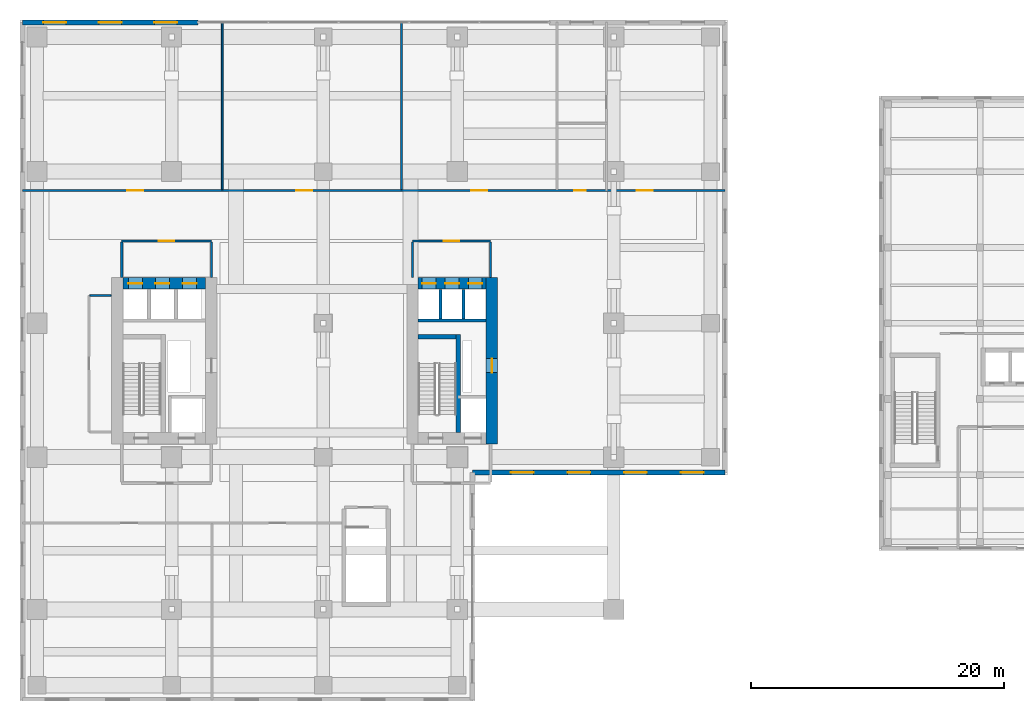
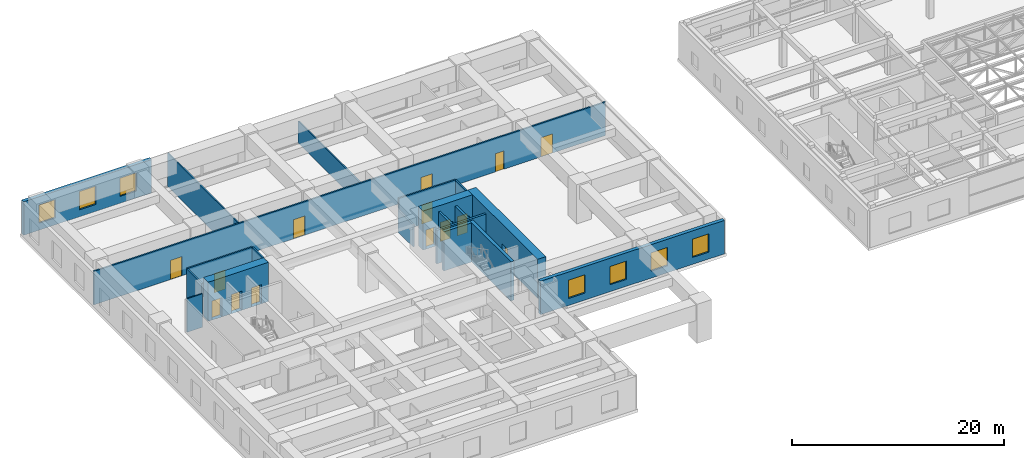
# One storey, part 26 of 33: 20 walls, 14 doors, 7 windows, 21 openings.
"""IFC4 building model written with IfcOpenShell, lengths in metres."""

from ifc_helpers import new_model, si_unit, direction, frame, frame_2d, origin, place, context, subcontext, project, spatial, rectangle, extrude, source, transform, mapped, material, layer, layer_set, type_object, element, fill, save


model = new_model("IFC4")

# Units and contexts
model_context = context("Model", 3, precision=1e-05, world=origin(), true_north=direction((0.0, 1.0)))
body_context = subcontext(model_context, "Body", "Model", "MODEL_VIEW")
ifc_project = project(units=[si_unit("LENGTHUNIT", "METRE"), si_unit("AREAUNIT", "SQUARE_METRE"), si_unit("VOLUMEUNIT", "CUBIC_METRE"), si_unit("PLANEANGLEUNIT", "RADIAN"), si_unit("MASSUNIT", "GRAM", prefix="KILO")], contexts=[model_context])

# Site, building, storey
site_placement = place(None, origin())
site = spatial("IfcSite", under=ifc_project, at=site_placement, CompositionType="ELEMENT")
building_placement = place(site_placement, origin())
building = spatial("IfcBuilding", under=site, at=building_placement, Name="Khoralis Quay Care Tower", CompositionType="ELEMENT")
storey_placement = place(building_placement, frame((0.0, 0.0, 18.0)))
storey = spatial("IfcBuildingStorey", under=building, at=storey_placement, Name="L04", CompositionType="ELEMENT", Elevation=18.0)

# Wall, openings, doors
ifc_material_1 = material(Name="Concrete C80/95", Category="concrete")
ifc_layer_1 = layer(ifc_material_1, 0.89990234375)
ifc_layer_set_1 = layer_set([ifc_layer_1], Name="Concrete C80/95")
wall_type_1 = type_object("IfcWallType", Name="WL-CORE-900", PredefinedType="SHEAR", material=ifc_layer_set_1)
wall_1_placement = place(storey_placement, frame((8.14990234375, 27.14990234375, 0.0), z_axis=(0.0, 0.0, 1.0), x_axis=(1.0, 0.0, 0.0)))
wall_1 = element("IfcWall", 1, at=wall_1_placement, inside=storey, type_object=wall_type_1, Name="L04 WCORE North Shear Wall", PredefinedType="SHEAR", context=body_context, shape_type="SweptSolid", body=[
    extrude(rectangle(XDim=6.550048828125, YDim=0.89990234375, at=frame_2d((3.27490234375, 0.0))), origin(), (0.0, 0.0, 1.0), 4.5),
])
opening_1_placement = place(wall_1_placement, frame((0.429931640625, 0.0, 0.0)))
opening_1 = element("IfcOpeningElement", 2, at=opening_1_placement, cuts=wall_1, Name="Opening LD1", PredefinedType="OPENING", context=body_context, shape_type="SweptSolid", body=[
    extrude(rectangle(XDim=1.10009765625, YDim=2.199951171875, at=frame_2d((0.550048828125, 1.10009765625))), frame((0.0, 0.4599609375, 0.0), z_axis=(0.0, -1.0, 0.0), x_axis=(1.0, 0.0, 0.0)), (0.0, 0.0, 1.0), 0.919921875),
])
opening_2_placement = place(wall_1_placement, frame((2.570068359375, 0.0, 0.0)))
opening_2 = element("IfcOpeningElement", 3, at=opening_2_placement, cuts=wall_1, Name="Opening LD1", PredefinedType="OPENING", context=body_context, shape_type="SweptSolid", body=[
    extrude(rectangle(XDim=1.10009765625, YDim=2.199951171875, at=frame_2d((0.550048828125, 1.10009765625))), frame((0.0, 0.4599609375, 0.0), z_axis=(0.0, -1.0, 0.0), x_axis=(1.0, 0.0, 0.0)), (0.0, 0.0, 1.0), 0.919921875),
])
opening_3_placement = place(wall_1_placement, frame((4.72998046875, 0.0, 0.0)))
opening_3 = element("IfcOpeningElement", 4, at=opening_3_placement, cuts=wall_1, Name="Opening LD1", PredefinedType="OPENING", context=body_context, shape_type="SweptSolid", body=[
    extrude(rectangle(XDim=1.10009765625, YDim=2.199951171875, at=frame_2d((0.550048828125, 1.10009765625))), frame((0.0, 0.4599609375, 0.0), z_axis=(0.0, -1.0, 0.0), x_axis=(1.0, 0.0, 0.0)), (0.0, 0.0, 1.0), 0.919921875),
])
ifc_material_2 = material(Name="Brushed stainless steel", Category="steel")
door_type_1 = type_object("IfcDoorType", Name="DR-LIFT-1100X2200", OperationType="SLIDING_TO_LEFT", PredefinedType="DOOR", material=ifc_material_2)
shared_shape_1 = source(origin(), body_context, "Body", "SweptSolid", [
    extrude(rectangle(XDim=1.10009765625, YDim=2.199951171875, at=frame_2d((0.550048828125, 1.10009765625))), frame((0.0, 0.02490234375, 0.0), z_axis=(0.0, -1.0, 0.0), x_axis=(1.0, 0.0, 0.0)), (0.0, 0.0, 1.0), 0.050048828125),
])
door_1_placement = place(opening_1_placement, origin())
door_1 = element("IfcDoor", 5, at=door_1_placement, inside=storey, type_object=door_type_1, Name="L04 Lift PLL1 Landing Door", OperationType="SLIDING_TO_LEFT", OverallHeight=2.199951171875, OverallWidth=1.10009765625, PredefinedType="DOOR", context=body_context, shape_type="MappedRepresentation", body=[
    mapped(shared_shape_1, transform((0.0, 0.0, 0.0), scale=1.0)),
])
fill(opening_1, door_1)
door_2_placement = place(opening_2_placement, origin())
door_2 = element("IfcDoor", 6, at=door_2_placement, inside=storey, type_object=door_type_1, Name="L04 Lift PLM1 Landing Door", OperationType="SLIDING_TO_LEFT", OverallHeight=2.199951171875, OverallWidth=1.10009765625, PredefinedType="DOOR", context=body_context, shape_type="MappedRepresentation", body=[
    mapped(shared_shape_1, transform((0.0, 0.0, 0.0), scale=1.0)),
])
fill(opening_2, door_2)
door_3_placement = place(opening_3_placement, origin())
door_3 = element("IfcDoor", 7, at=door_3_placement, inside=storey, type_object=door_type_1, Name="L04 Lift PLH1 Landing Door", OperationType="SLIDING_TO_LEFT", OverallHeight=2.199951171875, OverallWidth=1.10009765625, PredefinedType="DOOR", context=body_context, shape_type="MappedRepresentation", body=[
    mapped(shared_shape_1, transform((0.0, 0.0, 0.0), scale=1.0)),
])
fill(opening_3, door_3)

# Wall, opening, door
wall_2_placement = place(storey_placement, frame((37.35009765625, 14.449951171875, 0.0), z_axis=(0.0, 0.0, 1.0), x_axis=(0.0, 1.0, 0.0)))
wall_2 = element("IfcWall", 8, at=wall_2_placement, inside=storey, type_object=wall_type_1, Name="L04 ECORE East Shear Wall", PredefinedType="SHEAR", context=body_context, shape_type="SweptSolid", body=[
    extrude(rectangle(XDim=13.150146484375, YDim=0.89990234375, at=frame_2d((6.5751953125, 0.0))), origin(), (0.0, 0.0, 1.0), 4.5),
])
opening_4_placement = place(wall_2_placement, frame((5.64990234375, 0.0, 0.0)))
opening_4 = element("IfcOpeningElement", 9, at=opening_4_placement, cuts=wall_2, Name="Opening SD1", PredefinedType="OPENING", context=body_context, shape_type="SweptSolid", body=[
    extrude(rectangle(XDim=1.10009765625, YDim=2.199951171875, at=frame_2d((0.550048828125, 1.10009765625))), frame((0.0, 0.4599609375, 0.0), z_axis=(0.0, -1.0, 0.0), x_axis=(1.0, 0.0, 0.0)), (0.0, 0.0, 1.0), 0.919921875),
])
ifc_material_3 = material(Name="Fire-rated painted steel", Category="steel")
door_type_2 = type_object("IfcDoorType", Name="DR-STAIR-1100X2200", OperationType="NOTDEFINED", PredefinedType="DOOR", material=ifc_material_3)
shared_shape_2 = source(origin(), body_context, "Body", "SweptSolid", [
    extrude(rectangle(XDim=1.10009765625, YDim=2.199951171875, at=frame_2d((0.550048828125, 1.10009765625))), frame((0.0, 0.02490234375, 0.0), z_axis=(0.0, -1.0, 0.0), x_axis=(1.0, 0.0, 0.0)), (0.0, 0.0, 1.0), 0.050048828125),
])
door_4_placement = place(opening_4_placement, frame((1.10009765625, 0.0, 0.0), z_axis=(0.0, 0.0, 1.0), x_axis=(-1.0, 0.0, 0.0)))
door_4 = element("IfcDoor", 10, at=door_4_placement, inside=storey, type_object=door_type_2, Name="L04 East MEP Riser Door", OperationType="SINGLE_SWING_LEFT", OverallHeight=2.199951171875, OverallWidth=1.10009765625, PredefinedType="DOOR", context=body_context, shape_type="MappedRepresentation", body=[
    mapped(shared_shape_2, transform((0.0, 0.0, 0.0), scale=1.0)),
])
fill(opening_4, door_4)

# Wall, openings, doors
wall_3_placement = place(storey_placement, frame((31.52001953125, 27.14990234375, 0.0), z_axis=(0.0, 0.0, 1.0), x_axis=(1.0, 0.0, 0.0)))
wall_3 = element("IfcWall", 11, at=wall_3_placement, inside=storey, type_object=wall_type_1, Name="L04 ECORE North Shear Wall", PredefinedType="SHEAR", context=body_context, shape_type="SweptSolid", body=[
    extrude(rectangle(XDim=5.3798828125, YDim=0.89990234375, at=frame_2d((2.68994140625, 0.0))), origin(), (0.0, 0.0, 1.0), 4.5),
])
opening_5_placement = place(wall_3_placement, frame((0.300048828125, 0.0, 0.0)))
opening_5 = element("IfcOpeningElement", 12, at=opening_5_placement, cuts=wall_3, Name="Opening LD1", PredefinedType="OPENING", context=body_context, shape_type="SweptSolid", body=[
    extrude(rectangle(XDim=1.10009765625, YDim=2.199951171875, at=frame_2d((0.550048828125, 1.10009765625))), frame((0.0, 0.4599609375, 0.0), z_axis=(0.0, -1.0, 0.0), x_axis=(1.0, 0.0, 0.0)), (0.0, 0.0, 1.0), 0.919921875),
])
opening_6_placement = place(wall_3_placement, frame((2.1298828125, 0.0, 0.0)))
opening_6 = element("IfcOpeningElement", 13, at=opening_6_placement, cuts=wall_3, Name="Opening LD1", PredefinedType="OPENING", context=body_context, shape_type="SweptSolid", body=[
    extrude(rectangle(XDim=1.10009765625, YDim=2.199951171875, at=frame_2d((0.550048828125, 1.10009765625))), frame((0.0, 0.4599609375, 0.0), z_axis=(0.0, -1.0, 0.0), x_axis=(1.0, 0.0, 0.0)), (0.0, 0.0, 1.0), 0.919921875),
])
opening_7_placement = place(wall_3_placement, frame((3.9599609375, 0.0, 0.0)))
opening_7 = element("IfcOpeningElement", 14, at=opening_7_placement, cuts=wall_3, Name="Opening LD1", PredefinedType="OPENING", context=body_context, shape_type="SweptSolid", body=[
    extrude(rectangle(XDim=1.10009765625, YDim=2.199951171875, at=frame_2d((0.550048828125, 1.10009765625))), frame((0.0, 0.4599609375, 0.0), z_axis=(0.0, -1.0, 0.0), x_axis=(1.0, 0.0, 0.0)), (0.0, 0.0, 1.0), 0.919921875),
])
door_5_placement = place(opening_5_placement, origin())
door_5 = element("IfcDoor", 15, at=door_5_placement, inside=storey, type_object=door_type_1, Name="L04 Lift PLL2 Landing Door", OperationType="SLIDING_TO_LEFT", OverallHeight=2.199951171875, OverallWidth=1.10009765625, PredefinedType="DOOR", context=body_context, shape_type="MappedRepresentation", body=[
    mapped(shared_shape_1, transform((0.0, 0.0, 0.0), scale=1.0)),
])
fill(opening_5, door_5)
door_6_placement = place(opening_6_placement, origin())
door_6 = element("IfcDoor", 16, at=door_6_placement, inside=storey, type_object=door_type_1, Name="L04 Lift PLM2 Landing Door", OperationType="SLIDING_TO_LEFT", OverallHeight=2.199951171875, OverallWidth=1.10009765625, PredefinedType="DOOR", context=body_context, shape_type="MappedRepresentation", body=[
    mapped(shared_shape_1, transform((0.0, 0.0, 0.0), scale=1.0)),
])
fill(opening_6, door_6)
door_7_placement = place(opening_7_placement, origin())
door_7 = element("IfcDoor", 17, at=door_7_placement, inside=storey, type_object=door_type_1, Name="L04 Lift PLH2 Landing Door", OperationType="SLIDING_TO_LEFT", OverallHeight=2.199951171875, OverallWidth=1.10009765625, PredefinedType="DOOR", context=body_context, shape_type="MappedRepresentation", body=[
    mapped(shared_shape_1, transform((0.0, 0.0, 0.0), scale=1.0)),
])
fill(opening_7, door_7)

# Wall, opening, door
ifc_material_4 = material(Name="Gypsum plasterboard on acoustic metal stud")
ifc_layer_2 = layer(ifc_material_4, 0.1650390625)
ifc_layer_set_2 = layer_set([ifc_layer_2], Name="Gypsum plasterboard on acoustic metal stud")
wall_type_2 = type_object("IfcWallType", Name="WL-CORR-165", PredefinedType="PARTITIONING", material=ifc_layer_set_2)
wall_4_placement = place(storey_placement, frame((8.050048828125, 30.5, 0.0), z_axis=(0.0, 0.0, 1.0), x_axis=(1.0, 0.0, 0.0)))
wall_4 = element("IfcWall", 18, at=wall_4_placement, inside=storey, type_object=wall_type_2, Name="L04 West Lift Lobby North Wall", PredefinedType="PARTITIONING", context=body_context, shape_type="SweptSolid", body=[
    extrude(rectangle(XDim=7.099853515625, YDim=0.1650390625, at=frame_2d((3.5498046875, 0.0))), origin(), (0.0, 0.0, 1.0), 3.85009765625),
])
opening_8_placement = place(wall_4_placement, frame((2.949951171875, 0.0, 0.0)))
opening_8 = element("IfcOpeningElement", 19, at=opening_8_placement, cuts=wall_4, Name="Opening FD1", PredefinedType="OPENING", context=body_context, shape_type="SweptSolid", body=[
    extrude(rectangle(XDim=1.199951171875, YDim=2.199951171875, at=frame_2d((0.60009765625, 1.10009765625))), frame((0.0, 0.092529296875, 0.0), z_axis=(0.0, -1.0, 0.0), x_axis=(1.0, 0.0, 0.0)), (0.0, 0.0, 1.0), 0.18505859375),
])
door_type_3 = type_object("IfcDoorType", Name="DR-FFL-1200X2200", OperationType="NOTDEFINED", PredefinedType="DOOR", material=ifc_material_3)
shared_shape_3 = source(origin(), body_context, "Body", "SweptSolid", [
    extrude(rectangle(XDim=1.199951171875, YDim=2.199951171875, at=frame_2d((0.60009765625, 1.10009765625))), frame((0.0, 0.02490234375, 0.0), z_axis=(0.0, -1.0, 0.0), x_axis=(1.0, 0.0, 0.0)), (0.0, 0.0, 1.0), 0.050048828125),
])
door_8_placement = place(opening_8_placement, origin())
door_8 = element("IfcDoor", 20, at=door_8_placement, inside=storey, type_object=door_type_3, Name="L04 West Lift Lobby Double Door", OperationType="DOUBLE_DOOR_SINGLE_SWING", OverallHeight=2.199951171875, OverallWidth=1.199951171875, PredefinedType="DOOR", context=body_context, shape_type="MappedRepresentation", body=[
    mapped(shared_shape_3, transform((0.0, 0.0, 0.0), scale=1.0)),
])
fill(opening_8, door_8)

# Walls
for number, where, z_axis, x_axis, name in (
    (21, (8.050048828125, 27.6201171875, 0.0), (0.0, 0.0, 1.0), (0.0, 1.0, 0.0), "L04 West Lift Lobby West Wall"),
    (22, (15.14990234375, 27.6201171875, 0.0), (0.0, 0.0, 1.0), (0.0, 1.0, 0.0), "L04 West Lift Lobby East Wall"),
):
    element("IfcWall", number, at=place(storey_placement, frame(where, z_axis=z_axis, x_axis=x_axis)), inside=storey, type_object=wall_type_2, Name=name, PredefinedType="PARTITIONING", context=body_context, shape_type="SweptSolid", body=[
        extrude(rectangle(XDim=2.802490234375, YDim=0.1650390625, at=frame_2d((1.4013671875, 0.0))), origin(), (0.0, 0.0, 1.0), 3.85009765625),
    ])

# Wall, opening, door
wall_5_placement = place(storey_placement, frame((31.050048828125, 30.5, 0.0), z_axis=(0.0, 0.0, 1.0), x_axis=(1.0, 0.0, 0.0)))
wall_5 = element("IfcWall", 23, at=wall_5_placement, inside=storey, type_object=wall_type_2, Name="L04 East Lift Lobby North Wall", PredefinedType="PARTITIONING", context=body_context, shape_type="SweptSolid", body=[
    extrude(rectangle(XDim=6.199951171875, YDim=0.1650390625, at=frame_2d((3.10009765625, 0.0))), origin(), (0.0, 0.0, 1.0), 3.85009765625),
])
opening_9_placement = place(wall_5_placement, frame((2.5, 0.0, 0.0)))
opening_9 = element("IfcOpeningElement", 24, at=opening_9_placement, cuts=wall_5, Name="Opening FD1", PredefinedType="OPENING", context=body_context, shape_type="SweptSolid", body=[
    extrude(rectangle(XDim=1.199951171875, YDim=2.199951171875, at=frame_2d((0.60009765625, 1.10009765625))), frame((0.0, 0.092529296875, 0.0), z_axis=(0.0, -1.0, 0.0), x_axis=(1.0, 0.0, 0.0)), (0.0, 0.0, 1.0), 0.18505859375),
])
door_9_placement = place(opening_9_placement, origin())
door_9 = element("IfcDoor", 25, at=door_9_placement, inside=storey, type_object=door_type_3, Name="L04 East Lift Lobby Double Door", OperationType="DOUBLE_DOOR_SINGLE_SWING", OverallHeight=2.199951171875, OverallWidth=1.199951171875, PredefinedType="DOOR", context=body_context, shape_type="MappedRepresentation", body=[
    mapped(shared_shape_3, transform((0.0, 0.0, 0.0), scale=1.0)),
])
fill(opening_9, door_9)

# Walls
wall_6_placement = place(storey_placement, frame((31.050048828125, 27.6201171875, 0.0), z_axis=(0.0, 0.0, 1.0), x_axis=(0.0, 1.0, 0.0)))
element("IfcWall", 26, at=wall_6_placement, inside=storey, type_object=wall_type_2, Name="L04 East Lift Lobby West Wall", PredefinedType="PARTITIONING", context=body_context, shape_type="SweptSolid", body=[
    extrude(rectangle(XDim=2.802490234375, YDim=0.1650390625, at=frame_2d((1.4013671875, 0.0))), origin(), (0.0, 0.0, 1.0), 2.52001953125),
])
wall_7_placement = place(storey_placement, frame((37.25, 27.6201171875, 0.0), z_axis=(0.0, 0.0, 1.0), x_axis=(0.0, 1.0, 0.0)))
element("IfcWall", 27, at=wall_7_placement, inside=storey, type_object=wall_type_2, Name="L04 East Lift Lobby East Wall", PredefinedType="PARTITIONING", context=body_context, shape_type="SweptSolid", body=[
    extrude(rectangle(XDim=2.802490234375, YDim=0.1650390625, at=frame_2d((1.4013671875, 0.0))), origin(), (0.0, 0.0, 1.0), 3.85009765625),
])

# Wall, openings, doors
wall_8_placement = place(storey_placement, frame((0.18505859375, 34.5, 0.0), z_axis=(0.0, 0.0, 1.0), x_axis=(1.0, 0.0, 0.0)))
wall_8 = element("IfcWall", 28, at=wall_8_placement, inside=storey, type_object=wall_type_2, Name="L04 Podium North Concourse Wall", PredefinedType="PARTITIONING", context=body_context, shape_type="SweptSolid", body=[
    extrude(rectangle(XDim=55.6298828125, YDim=0.1650390625, at=frame_2d((27.81494140625, 0.0))), origin(), (0.0, 0.0, 1.0), 3.85009765625),
])
opening_10_placement = place(wall_8_placement, frame((8.31494140625, 0.0, 0.0)))
opening_10 = element("IfcOpeningElement", 29, at=opening_10_placement, cuts=wall_8, Name="Opening CD1", PredefinedType="OPENING", context=body_context, shape_type="SweptSolid", body=[
    extrude(rectangle(XDim=1.25, YDim=2.199951171875, at=frame_2d((0.625, 1.10009765625))), frame((0.0, 0.092529296875, 0.0), z_axis=(0.0, -1.0, 0.0), x_axis=(1.0, 0.0, 0.0)), (0.0, 0.0, 1.0), 0.18505859375),
])
opening_11_placement = place(wall_8_placement, frame((21.68994140625, 0.0, 0.0)))
opening_11 = element("IfcOpeningElement", 30, at=opening_11_placement, cuts=wall_8, Name="Opening CD1", PredefinedType="OPENING", context=body_context, shape_type="SweptSolid", body=[
    extrude(rectangle(XDim=1.25, YDim=2.199951171875, at=frame_2d((0.625, 1.10009765625))), frame((0.0, 0.092529296875, 0.0), z_axis=(0.0, -1.0, 0.0), x_axis=(1.0, 0.0, 0.0)), (0.0, 0.0, 1.0), 0.18505859375),
])
opening_12_placement = place(wall_8_placement, frame((35.5400390625, 0.0, 0.0)))
opening_12 = element("IfcOpeningElement", 31, at=opening_12_placement, cuts=wall_8, Name="Opening CD1", PredefinedType="OPENING", context=body_context, shape_type="SweptSolid", body=[
    extrude(rectangle(XDim=1.25, YDim=2.199951171875, at=frame_2d((0.625, 1.10009765625))), frame((0.0, 0.092529296875, 0.0), z_axis=(0.0, -1.0, 0.0), x_axis=(1.0, 0.0, 0.0)), (0.0, 0.0, 1.0), 0.18505859375),
])
opening_13_placement = place(wall_8_placement, frame((43.68505859375, 0.0, 0.0)))
opening_13 = element("IfcOpeningElement", 32, at=opening_13_placement, cuts=wall_8, Name="Opening WD1", PredefinedType="OPENING", context=body_context, shape_type="SweptSolid", body=[
    extrude(rectangle(XDim=0.89990234375, YDim=2.10009765625, at=frame_2d((0.449951171875, 1.050048828125))), frame((0.0, 0.092529296875, 0.0), z_axis=(0.0, -1.0, 0.0), x_axis=(1.0, 0.0, 0.0)), (0.0, 0.0, 1.0), 0.18505859375),
])
opening_14_placement = place(wall_8_placement, frame((48.635009765625, 0.0, 0.0)))
opening_14 = element("IfcOpeningElement", 33, at=opening_14_placement, cuts=wall_8, Name="Opening CD1", PredefinedType="OPENING", context=body_context, shape_type="SweptSolid", body=[
    extrude(rectangle(XDim=1.25, YDim=2.199951171875, at=frame_2d((0.625, 1.10009765625))), frame((0.0, 0.092529296875, 0.0), z_axis=(0.0, -1.0, 0.0), x_axis=(1.0, 0.0, 0.0)), (0.0, 0.0, 1.0), 0.18505859375),
])
ifc_material_5 = material(Name="Acoustic hardwood timber", Category="wood")
door_type_4 = type_object("IfcDoorType", Name="DR-BATH-900X2100", OperationType="NOTDEFINED", PredefinedType="DOOR", material=ifc_material_5)
shared_shape_4 = source(origin(), body_context, "Body", "SweptSolid", [
    extrude(rectangle(XDim=0.89990234375, YDim=2.10009765625, at=frame_2d((0.449951171875, 1.050048828125))), frame((0.0, 0.02490234375, 0.0), z_axis=(0.0, -1.0, 0.0), x_axis=(1.0, 0.0, 0.0)), (0.0, 0.0, 1.0), 0.050048828125),
])
door_10_placement = place(opening_13_placement, origin())
door_10 = element("IfcDoor", 34, at=door_10_placement, inside=storey, type_object=door_type_4, Name="L04 Public Accessible WC Door", OperationType="SINGLE_SWING_LEFT", OverallHeight=2.10009765625, OverallWidth=0.89990234375, PredefinedType="DOOR", context=body_context, shape_type="MappedRepresentation", body=[
    mapped(shared_shape_4, transform((0.0, 0.0, 0.0), scale=1.0)),
])
fill(opening_13, door_10)
door_type_5 = type_object("IfcDoorType", Name="DR-CARE-1250X2200", OperationType="NOTDEFINED", PredefinedType="DOOR", material=ifc_material_5)
shared_shape_5 = source(origin(), body_context, "Body", "SweptSolid", [
    extrude(rectangle(XDim=1.25, YDim=2.199951171875, at=frame_2d((0.625, 1.10009765625))), frame((0.0, 0.02490234375, 0.0), z_axis=(0.0, -1.0, 0.0), x_axis=(1.0, 0.0, 0.0)), (0.0, 0.0, 1.0), 0.050048828125),
])
door_11_placement = place(opening_10_placement, origin())
door_11 = element("IfcDoor", 35, at=door_11_placement, inside=storey, type_object=door_type_5, Name="L04 Podium Transfer Wellness Clinic Door", OperationType="DOUBLE_DOOR_SINGLE_SWING", OverallHeight=2.199951171875, OverallWidth=1.25, PredefinedType="DOOR", context=body_context, shape_type="MappedRepresentation", body=[
    mapped(shared_shape_5, transform((0.0, 0.0, 0.0), scale=1.0)),
])
fill(opening_10, door_11)
door_12_placement = place(opening_11_placement, origin())
door_12 = element("IfcDoor", 36, at=door_12_placement, inside=storey, type_object=door_type_5, Name="L04 Clinical Administration Office Door", OperationType="DOUBLE_DOOR_SINGLE_SWING", OverallHeight=2.199951171875, OverallWidth=1.25, PredefinedType="DOOR", context=body_context, shape_type="MappedRepresentation", body=[
    mapped(shared_shape_5, transform((0.0, 0.0, 0.0), scale=1.0)),
])
fill(opening_11, door_12)
door_13_placement = place(opening_12_placement, origin())
door_13 = element("IfcDoor", 37, at=door_13_placement, inside=storey, type_object=door_type_5, Name="L04 Senior Salon & Spa Door", OperationType="DOUBLE_DOOR_SINGLE_SWING", OverallHeight=2.199951171875, OverallWidth=1.25, PredefinedType="DOOR", context=body_context, shape_type="MappedRepresentation", body=[
    mapped(shared_shape_5, transform((0.0, 0.0, 0.0), scale=1.0)),
])
fill(opening_12, door_13)
door_14_placement = place(opening_14_placement, origin())
door_14 = element("IfcDoor", 38, at=door_14_placement, inside=storey, type_object=door_type_5, Name="L04 Podium Equipment Store Door", OperationType="SINGLE_SWING_RIGHT", OverallHeight=2.199951171875, OverallWidth=1.25, PredefinedType="DOOR", context=body_context, shape_type="MappedRepresentation", body=[
    mapped(shared_shape_5, transform((0.0, 0.0, 0.0), scale=1.0)),
])
fill(opening_14, door_14)

# Wall, openings, windows
ifc_material_6 = material(Name="Precast concrete C45/55", Category="concrete")
ifc_layer_3 = layer(ifc_material_6, 0.3798828125)
ifc_layer_set_3 = layer_set([ifc_layer_3], Name="Precast concrete C45/55")
wall_type_3 = type_object("IfcWallType", Name="WL-EXT-POD-380", PredefinedType="SOLIDWALL", material=ifc_layer_set_3)
wall_9_placement = place(storey_placement, frame((35.81005859375, 12.18994140625, 0.0), z_axis=(0.0, 0.0, 1.0), x_axis=(1.0, 0.0, 0.0)))
wall_9 = element("IfcWall", 39, at=wall_9_placement, inside=storey, type_object=wall_type_3, Name="L04 External Facade Wall WL-POD-L04-E2", PredefinedType="SOLIDWALL", context=body_context, shape_type="SweptSolid", body=[
    extrude(rectangle(XDim=20.0, YDim=0.3798828125, at=frame_2d((10.0, 0.0))), origin(), (0.0, 0.0, 1.0), 3.85009765625),
])
opening_15_placement = place(wall_9_placement, frame((3.04248046875, 0.0, 0.800048828125)))
opening_15 = element("IfcOpeningElement", 40, at=opening_15_placement, cuts=wall_9, Name="Opening W2", PredefinedType="OPENING", context=body_context, shape_type="SweptSolid", body=[
    extrude(rectangle(XDim=1.800048828125, YDim=2.10009765625, at=frame_2d((0.89990234375, 1.050048828125))), frame((0.0, 0.199951171875, 0.0), z_axis=(0.0, -1.0, 0.0), x_axis=(1.0, 0.0, 0.0)), (0.0, 0.0, 1.0), 0.39990234375),
])
opening_16_placement = place(wall_9_placement, frame((7.527587890625, 0.0, 0.800048828125)))
opening_16 = element("IfcOpeningElement", 41, at=opening_16_placement, cuts=wall_9, Name="Opening W2", PredefinedType="OPENING", context=body_context, shape_type="SweptSolid", body=[
    extrude(rectangle(XDim=1.800048828125, YDim=2.10009765625, at=frame_2d((0.89990234375, 1.050048828125))), frame((0.0, 0.199951171875, 0.0), z_axis=(0.0, -1.0, 0.0), x_axis=(1.0, 0.0, 0.0)), (0.0, 0.0, 1.0), 0.39990234375),
])
opening_17_placement = place(wall_9_placement, frame((12.012451171875, 0.0, 0.800048828125)))
opening_17 = element("IfcOpeningElement", 42, at=opening_17_placement, cuts=wall_9, Name="Opening W2", PredefinedType="OPENING", context=body_context, shape_type="SweptSolid", body=[
    extrude(rectangle(XDim=1.800048828125, YDim=2.10009765625, at=frame_2d((0.89990234375, 1.050048828125))), frame((0.0, 0.199951171875, 0.0), z_axis=(0.0, -1.0, 0.0), x_axis=(1.0, 0.0, 0.0)), (0.0, 0.0, 1.0), 0.39990234375),
])
opening_18_placement = place(wall_9_placement, frame((16.49755859375, 0.0, 0.800048828125)))
opening_18 = element("IfcOpeningElement", 43, at=opening_18_placement, cuts=wall_9, Name="Opening W2", PredefinedType="OPENING", context=body_context, shape_type="SweptSolid", body=[
    extrude(rectangle(XDim=1.800048828125, YDim=2.10009765625, at=frame_2d((0.89990234375, 1.050048828125))), frame((0.0, 0.199951171875, 0.0), z_axis=(0.0, -1.0, 0.0), x_axis=(1.0, 0.0, 0.0)), (0.0, 0.0, 1.0), 0.39990234375),
])
ifc_material_7 = material(Name="Low-E solar-control double glazing", Category="glass")
window_type = type_object("IfcWindowType", Name="WN-POD-1800X2100", PartitioningType="SINGLE_PANEL", PredefinedType="WINDOW", material=ifc_material_7)
shared_shape_6 = source(origin(), body_context, "Body", "SweptSolid", [
    extrude(rectangle(XDim=1.800048828125, YDim=2.10009765625, at=frame_2d((0.89990234375, 1.050048828125))), frame((0.0, 0.030029296875, 0.0), z_axis=(0.0, -1.0, 0.0), x_axis=(1.0, 0.0, 0.0)), (0.0, 0.0, 1.0), 0.06005859375),
])
window_1_placement = place(opening_15_placement, origin())
window_1 = element("IfcWindow", 44, at=window_1_placement, inside=storey, type_object=window_type, Name="WN-POD-L04-E2 Facade Window 01", OverallHeight=2.10009765625, OverallWidth=1.800048828125, PartitioningType="SINGLE_PANEL", PredefinedType="WINDOW", context=body_context, shape_type="MappedRepresentation", body=[
    mapped(shared_shape_6, transform((0.0, 0.0, 0.0), scale=1.0)),
])
fill(opening_15, window_1)
window_2_placement = place(opening_16_placement, origin())
window_2 = element("IfcWindow", 45, at=window_2_placement, inside=storey, type_object=window_type, Name="WN-POD-L04-E2 Facade Window 02", OverallHeight=2.10009765625, OverallWidth=1.800048828125, PartitioningType="SINGLE_PANEL", PredefinedType="WINDOW", context=body_context, shape_type="MappedRepresentation", body=[
    mapped(shared_shape_6, transform((0.0, 0.0, 0.0), scale=1.0)),
])
fill(opening_16, window_2)
window_3_placement = place(opening_17_placement, origin())
window_3 = element("IfcWindow", 46, at=window_3_placement, inside=storey, type_object=window_type, Name="WN-POD-L04-E2 Facade Window 03", OverallHeight=2.10009765625, OverallWidth=1.800048828125, PartitioningType="SINGLE_PANEL", PredefinedType="WINDOW", context=body_context, shape_type="MappedRepresentation", body=[
    mapped(shared_shape_6, transform((0.0, 0.0, 0.0), scale=1.0)),
])
fill(opening_17, window_3)
window_4_placement = place(opening_18_placement, origin())
window_4 = element("IfcWindow", 47, at=window_4_placement, inside=storey, type_object=window_type, Name="WN-POD-L04-E2 Facade Window 04", OverallHeight=2.10009765625, OverallWidth=1.800048828125, PartitioningType="SINGLE_PANEL", PredefinedType="WINDOW", context=body_context, shape_type="MappedRepresentation", body=[
    mapped(shared_shape_6, transform((0.0, 0.0, 0.0), scale=1.0)),
])
fill(opening_18, window_4)

wall_10_placement = place(storey_placement, frame((14.094970703125, 47.81005859375, 0.0), z_axis=(0.0, 0.0, 1.0), x_axis=(-1.0, 0.0, 0.0)))
wall_10 = element("IfcWall", 48, at=wall_10_placement, inside=storey, type_object=wall_type_3, Name="L04 External Facade Wall WL-POD-L04-E4B", PredefinedType="SOLIDWALL", context=body_context, shape_type="SweptSolid", body=[
    extrude(rectangle(XDim=13.905029296875, YDim=0.3798828125, at=frame_2d((6.95263671875, 0.0))), origin(), (0.0, 0.0, 1.0), 3.85009765625),
])
opening_19_placement = place(wall_10_placement, frame((1.657470703125, 0.0, 0.800048828125)))
opening_19 = element("IfcOpeningElement", 49, at=opening_19_placement, cuts=wall_10, Name="Opening W2", PredefinedType="OPENING", context=body_context, shape_type="SweptSolid", body=[
    extrude(rectangle(XDim=1.800048828125, YDim=2.10009765625, at=frame_2d((0.89990234375, 1.050048828125))), frame((0.0, 0.199951171875, 0.0), z_axis=(0.0, -1.0, 0.0), x_axis=(1.0, 0.0, 0.0)), (0.0, 0.0, 1.0), 0.39990234375),
])
opening_20_placement = place(wall_10_placement, frame((6.052490234375, 0.0, 0.800048828125)))
opening_20 = element("IfcOpeningElement", 50, at=opening_20_placement, cuts=wall_10, Name="Opening W2", PredefinedType="OPENING", context=body_context, shape_type="SweptSolid", body=[
    extrude(rectangle(XDim=1.800048828125, YDim=2.10009765625, at=frame_2d((0.89990234375, 1.050048828125))), frame((0.0, 0.199951171875, 0.0), z_axis=(0.0, -1.0, 0.0), x_axis=(1.0, 0.0, 0.0)), (0.0, 0.0, 1.0), 0.39990234375),
])
opening_21_placement = place(wall_10_placement, frame((10.447509765625, 0.0, 0.800048828125)))
opening_21 = element("IfcOpeningElement", 51, at=opening_21_placement, cuts=wall_10, Name="Opening W2", PredefinedType="OPENING", context=body_context, shape_type="SweptSolid", body=[
    extrude(rectangle(XDim=1.800048828125, YDim=2.10009765625, at=frame_2d((0.89990234375, 1.050048828125))), frame((0.0, 0.199951171875, 0.0), z_axis=(0.0, -1.0, 0.0), x_axis=(1.0, 0.0, 0.0)), (0.0, 0.0, 1.0), 0.39990234375),
])
window_5_placement = place(opening_19_placement, origin())
window_5 = element("IfcWindow", 52, at=window_5_placement, inside=storey, type_object=window_type, Name="WN-POD-L04-4B Facade Window 01", OverallHeight=2.10009765625, OverallWidth=1.800048828125, PartitioningType="SINGLE_PANEL", PredefinedType="WINDOW", context=body_context, shape_type="MappedRepresentation", body=[
    mapped(shared_shape_6, transform((0.0, 0.0, 0.0), scale=1.0)),
])
fill(opening_19, window_5)
window_6_placement = place(opening_20_placement, origin())
window_6 = element("IfcWindow", 53, at=window_6_placement, inside=storey, type_object=window_type, Name="WN-POD-L04-4B Facade Window 02", OverallHeight=2.10009765625, OverallWidth=1.800048828125, PartitioningType="SINGLE_PANEL", PredefinedType="WINDOW", context=body_context, shape_type="MappedRepresentation", body=[
    mapped(shared_shape_6, transform((0.0, 0.0, 0.0), scale=1.0)),
])
fill(opening_20, window_6)
window_7_placement = place(opening_21_placement, origin())
window_7 = element("IfcWindow", 54, at=window_7_placement, inside=storey, type_object=window_type, Name="WN-POD-L04-4B Facade Window 03", OverallHeight=2.10009765625, OverallWidth=1.800048828125, PartitioningType="SINGLE_PANEL", PredefinedType="WINDOW", context=body_context, shape_type="MappedRepresentation", body=[
    mapped(shared_shape_6, transform((0.0, 0.0, 0.0), scale=1.0)),
])
fill(opening_21, window_7)

# Walls
ifc_material_8 = material(Name="Concrete C40/50", Category="concrete")
ifc_layer_4 = layer(ifc_material_8, 0.35009765625)
ifc_layer_set_4 = layer_set([ifc_layer_4], Name="Concrete C40/50")
wall_type_4 = type_object("IfcWallType", Name="WL-SC-CORE-350", PredefinedType="SHEAR", material=ifc_layer_set_4)
wall_11_placement = place(storey_placement, frame((34.695068359375, 15.35009765625, 0.0), z_axis=(0.0, 0.0, 1.0), x_axis=(0.0, 1.0, 0.0)))
element("IfcWall", 55, at=wall_11_placement, inside=storey, type_object=wall_type_4, Name="L04 Stair ST-T2 Shear Baffle Wall East", PredefinedType="SHEAR", context=body_context, shape_type="SweptSolid", body=[
    extrude(rectangle(XDim=7.75, YDim=0.35009765625, at=frame_2d((3.875, 0.0))), origin(), (0.0, 0.0, 1.0), 4.5),
])
wall_12_placement = place(storey_placement, frame((31.52001953125, 22.925048828125, 0.0), z_axis=(0.0, 0.0, 1.0), x_axis=(1.0, 0.0, 0.0)))
element("IfcWall", 56, at=wall_12_placement, inside=storey, type_object=wall_type_4, Name="L04 Stair ST-T2 Shear Baffle Wall North", PredefinedType="SHEAR", context=body_context, shape_type="SweptSolid", body=[
    extrude(rectangle(XDim=3.0, YDim=0.35009765625, at=frame_2d((1.5, 0.0))), origin(), (0.0, 0.0, 1.0), 4.5),
])
ifc_layer_5 = layer(ifc_material_4, 0.239990234375)
ifc_layer_set_5 = layer_set([ifc_layer_5], Name="Gypsum plasterboard on acoustic metal stud")
wall_type_5 = type_object("IfcWallType", Name="WL-SHAFT-240", PredefinedType="PARTITIONING", material=ifc_layer_set_5)
wall_13_placement = place(storey_placement, frame((31.52001953125, 24.22998046875, 0.0), z_axis=(0.0, 0.0, 1.0), x_axis=(1.0, 0.0, 0.0)))
element("IfcWall", 57, at=wall_13_placement, inside=storey, type_object=wall_type_5, Name="L04 East Passenger Shaft South Wall", PredefinedType="PARTITIONING", context=body_context, shape_type="SweptSolid", body=[
    extrude(rectangle(XDim=5.35986328125, YDim=0.239990234375, at=frame_2d((2.679931640625, 0.0))), origin(), (0.0, 0.0, 1.0), 3.85009765625),
])
for number, where, z_axis, x_axis, name in (
    (58, (33.2900390625, 24.344970703125, 0.0), (0.0, 0.0, 1.0), (0.0, 1.0, 0.0), "L04 East Shaft Divider 1"),
    (59, (35.110107421875, 24.344970703125, 0.0), (0.0, 0.0, 1.0), (0.0, 1.0, 0.0), "L04 East Shaft Divider 2"),
):
    element("IfcWall", number, at=place(storey_placement, frame(where, z_axis=z_axis, x_axis=x_axis)), inside=storey, type_object=wall_type_5, Name=name, PredefinedType="PARTITIONING", context=body_context, shape_type="SweptSolid", body=[
        extrude(rectangle(XDim=2.3349609375, YDim=0.239990234375, at=frame_2d((1.16748046875, 0.0))), origin(), (0.0, 0.0, 1.0), 3.85009765625),
    ])
ifc_layer_6 = layer(ifc_material_4, 0.139892578125)
ifc_layer_set_6 = layer_set([ifc_layer_6], Name="Gypsum plasterboard on acoustic metal stud")
wall_type_6 = type_object("IfcWallType", Name="WL-UNIT-140", PredefinedType="PARTITIONING", material=ifc_layer_set_6)
wall_14_placement = place(storey_placement, frame((5.527587890625, 26.199951171875, 0.0), z_axis=(0.0, 0.0, 1.0), x_axis=(1.0, 0.0, 0.0)))
element("IfcWall", 60, at=wall_14_placement, inside=storey, type_object=wall_type_6, Name="L04 West Flank North Cap", PredefinedType="PARTITIONING", context=body_context, shape_type="SweptSolid", body=[
    extrude(rectangle(XDim=1.682373046875, YDim=0.139892578125, at=frame_2d((0.84130859375, 0.0))), origin(), (0.0, 0.0, 1.0), 3.85009765625),
])
wall_15_placement = place(storey_placement, frame((16.0, 34.577392578125, 0.0), z_axis=(0.0, 0.0, 1.0), x_axis=(0.0, 1.0, 0.0)))
element("IfcWall", 61, at=wall_15_placement, inside=storey, type_object=wall_type_6, Name="L04 Podium North Split 1", PredefinedType="PARTITIONING", context=body_context, shape_type="SweptSolid", body=[
    extrude(rectangle(XDim=13.237548828125, YDim=0.139892578125, at=frame_2d((6.61865234375, 0.0))), origin(), (0.0, 0.0, 1.0), 3.85009765625),
])
wall_16_placement = place(storey_placement, frame((30.199951171875, 34.577392578125, 0.0), z_axis=(0.0, 0.0, 1.0), x_axis=(0.0, 1.0, 0.0)))
element("IfcWall", 62, at=wall_16_placement, inside=storey, type_object=wall_type_6, Name="L04 Podium North Split 2", PredefinedType="PARTITIONING", context=body_context, shape_type="SweptSolid", body=[
    extrude(rectangle(XDim=13.237548828125, YDim=0.139892578125, at=frame_2d((6.61865234375, 0.0))), origin(), (0.0, 0.0, 1.0), 2.52001953125),
])

save(model, "model.ifc")
